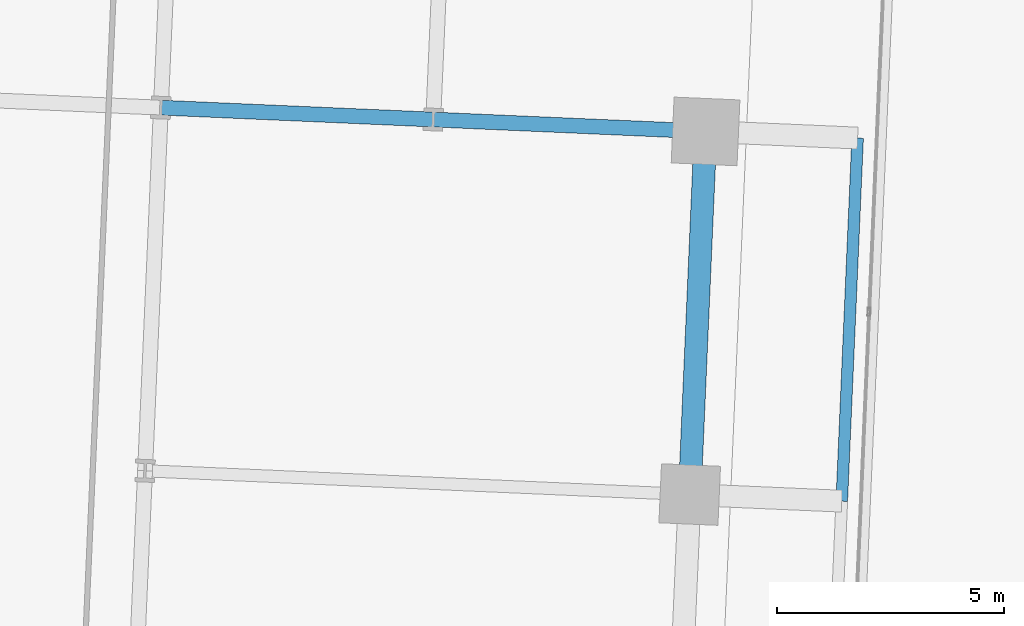
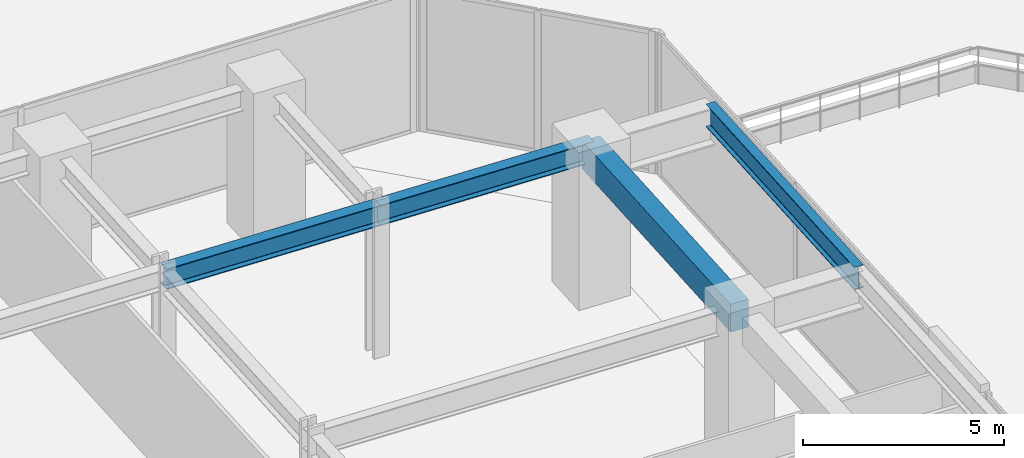
# One storey, part 16 of 33: 4 beams.
"""IFC4 building model written with IfcOpenShell, lengths in metres."""

from ifc_helpers import new_model, si_unit, direction, frame, origin, origin_2d, place, context, subcontext, project, spatial, rectangle, i_section, extrude, source, transform, mapped, material, material_profile, profile_set, type_object, element, save


model = new_model("IFC4")

# Units and contexts
model_context = context("Model", 3, precision=1e-05, world=origin(), true_north=direction((0.0, 1.0)))
body_context = subcontext(model_context, "Body", "Model", "MODEL_VIEW")
ifc_project = project(units=[si_unit("LENGTHUNIT", "METRE"), si_unit("AREAUNIT", "SQUARE_METRE"), si_unit("VOLUMEUNIT", "CUBIC_METRE"), si_unit("PLANEANGLEUNIT", "RADIAN"), si_unit("MASSUNIT", "GRAM", prefix="KILO")], contexts=[model_context])

# Site, building, storey
site_placement = place(None, origin())
site = spatial("IfcSite", under=ifc_project, at=site_placement, CompositionType="ELEMENT")
building_placement = place(site_placement, origin())
building = spatial("IfcBuilding", under=site, at=building_placement, Name="Torre Montelarca", CompositionType="ELEMENT")
storey_placement = place(building_placement, frame((0.0, 0.0, 32.800048828125)))
storey = spatial("IfcBuildingStorey", under=building, at=storey_placement, Name="L07", CompositionType="ELEMENT", Elevation=32.800048828125)

# Beams
ifc_material_1 = material(Name="Steel ASTM A992 Grade 50", Category="steel")
ifc_material_profile_1 = material_profile(ifc_material_1, i_section(OverallWidth=0.326904296875, OverallDepth=0.6220703125, WebThickness=0.015380859375, FlangeThickness=0.0244140625, FilletRadius=0.014892578125, at=origin_2d()), Name="W610X195", Category="steel")
ifc_profile_set_1 = profile_set([ifc_material_profile_1], Name="Steel ASTM A992 Grade 50")
beam_type_1 = type_object("IfcBeamType", Name="BM-G-W610H", PredefinedType="BEAM", material=ifc_profile_set_1)
shared_shape_1 = source(origin(), body_context, "Body", "SweptSolid", [
    extrude(i_section(OverallWidth=0.326904296875, OverallDepth=0.6220703125, WebThickness=0.015380859375, FlangeThickness=0.0244140625, FilletRadius=0.014892578125, at=origin_2d()), origin(), (0.0, 0.0, 1.0), 6.0),
])
beam_1_placement = place(storey_placement, frame((48.32373046875, 38.83642578125, 4.2490234375), z_axis=(0.999048234227, -0.043619097751, 0.0), x_axis=(0.043619097751, 0.999048234227, 0.0)))
element("IfcBeam", 1, at=beam_1_placement, inside=storey, type_object=beam_type_1, Name="L07 Grid Girder X 48.0-54.0 at Y=40.0", PredefinedType="BEAM", context=body_context, shape_type="MappedRepresentation", body=[
    mapped(shared_shape_1, transform((0.0, 0.0, 0.0), scale=1.0)),
])
shared_shape_2 = source(origin(), body_context, "Body", "SweptSolid", [
    extrude(i_section(OverallWidth=0.326904296875, OverallDepth=0.6220703125, WebThickness=0.015380859375, FlangeThickness=0.0244140625, FilletRadius=0.014892578125, at=origin_2d()), origin(), (0.0, 0.0, 1.0), 5.999755859375),
])
beam_2_placement = place(storey_placement, frame((54.318115234375, 38.57470703125, 4.2490234375), z_axis=(0.999048156805, -0.043620870972, 0.0), x_axis=(0.043620870972, 0.999048156805, 0.0)))
element("IfcBeam", 2, at=beam_2_placement, inside=storey, type_object=beam_type_1, Name="L07 Grid Girder X 54.0-60.0 at Y=40.0", PredefinedType="BEAM", context=body_context, shape_type="MappedRepresentation", body=[
    mapped(shared_shape_2, transform((0.0, 0.0, 0.0), scale=1.0)),
])
ifc_material_2 = material(Name="Concrete C55/67", Category="concrete")
ifc_material_profile_2 = material_profile(ifc_material_2, rectangle(XDim=0.5, YDim=0.85009765625, at=origin_2d()), Name="RCB500X850", Category="concrete")
ifc_profile_set_2 = profile_set([ifc_material_profile_2], Name="Concrete C55/67")
beam_type_2 = type_object("IfcBeamType", Name="BM-SP-RC850-EXT", PredefinedType="SPANDREL", material=ifc_profile_set_2)
shared_shape_3 = source(origin(), body_context, "Body", "SweptSolid", [
    extrude(rectangle(XDim=0.5, YDim=0.85009765625, at=origin_2d()), origin(), (0.0, 0.0, 1.0), 7.999755859375),
])
beam_3_placement = place(storey_placement, frame((59.96337890625, 30.32080078125, 4.135009765625), z_axis=(0.043610717544, 0.999048600077, 0.0), x_axis=(-0.999048600077, 0.043610717544, 0.0)))
element("IfcBeam", 3, at=beam_3_placement, inside=storey, type_object=beam_type_2, Name="L07 Grid Girder Y 32.0-40.0 at X=60.0", PredefinedType="SPANDREL", context=body_context, shape_type="MappedRepresentation", body=[
    mapped(shared_shape_3, transform((0.0, 0.0, 0.0), scale=1.0)),
])
ifc_material_profile_3 = material_profile(ifc_material_1, i_section(OverallWidth=0.256103515625, OverallDepth=0.693115234375, WebThickness=0.014404296875, FlangeThickness=0.023681640625, FilletRadius=0.01806640625, at=origin_2d()), Name="W690X170", Category="steel")
ifc_profile_set_3 = profile_set([ifc_material_profile_3], Name="Steel ASTM A992 Grade 50")
beam_type_3 = type_object("IfcBeamType", Name="BM-G-W690-EXT", PredefinedType="BEAM", material=ifc_profile_set_3)
shared_shape_4 = source(origin(), body_context, "Body", "SweptSolid", [
    extrude(i_section(OverallWidth=0.256103515625, OverallDepth=0.693115234375, WebThickness=0.014404296875, FlangeThickness=0.023681640625, FilletRadius=0.01806640625, at=origin_2d()), origin(), (0.0, 0.0, 1.0), 8.0),
])
beam_4_placement = place(storey_placement, frame((63.310302734375, 30.174560546875, 4.212890625), z_axis=(0.043609387923, 0.999048658117, 0.0), x_axis=(-0.999048658117, 0.043609387923, 0.0)))
element("IfcBeam", 4, at=beam_4_placement, inside=storey, type_object=beam_type_3, Name="L07 Sliding Tray Edge Girder East 32-40m (FLR)", PredefinedType="BEAM", context=body_context, shape_type="MappedRepresentation", body=[
    mapped(shared_shape_4, transform((0.0, 0.0, 0.0), scale=1.0)),
])

save(model, "model.ifc")
